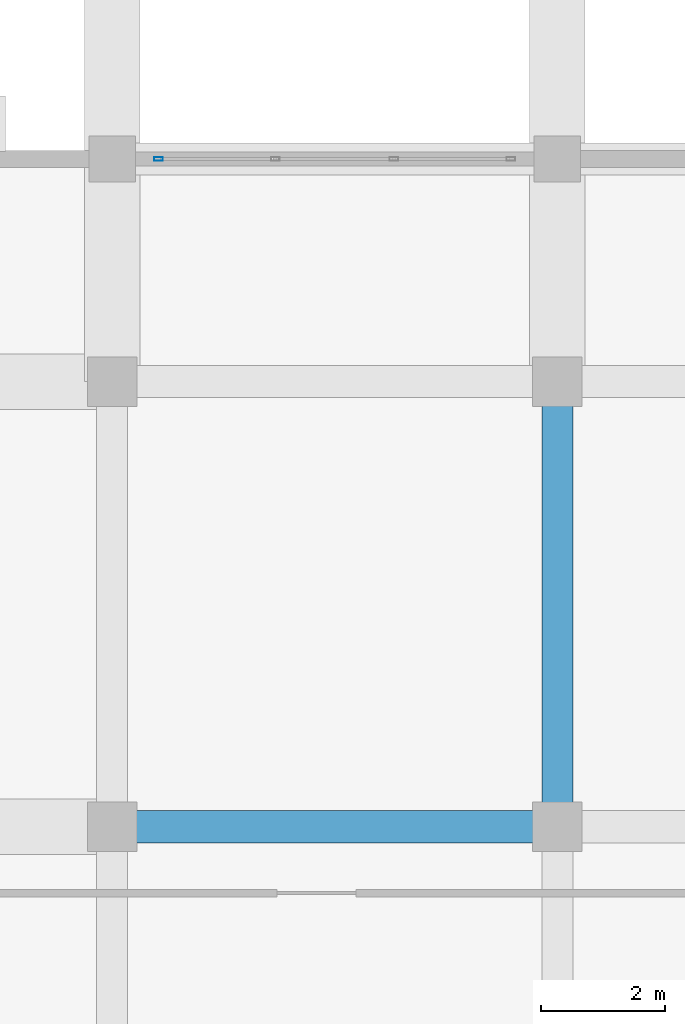
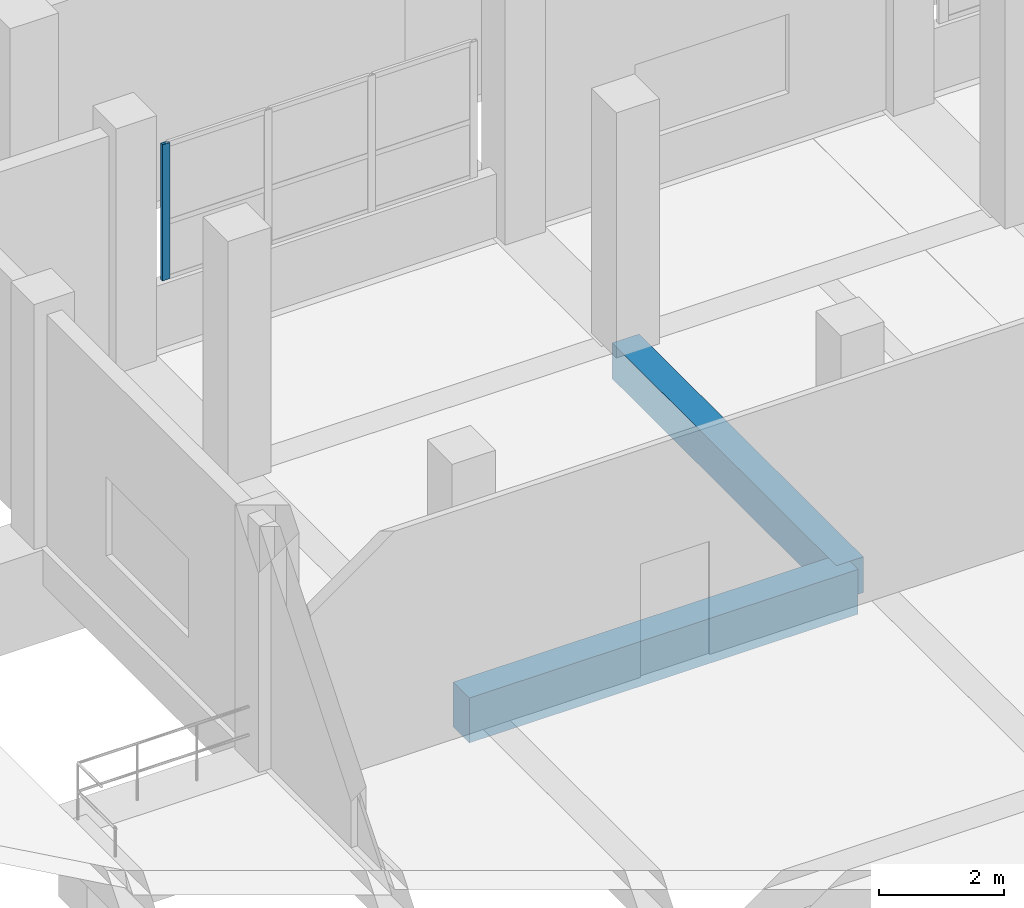
# One storey, part 55 of 140: 2 beams, 1 member, 1 element without a shape of its own.
"""IFC4 building model written with IfcOpenShell, lengths in metres."""

from ifc_helpers import new_model, si_unit, direction, frame, origin, origin_2d, place, context, subcontext, project, spatial, rectangle, hollow_rectangle, extrude, material, layer, layer_set, material_profile, profile_set, type_object, element, aggregate, save


model = new_model("IFC4")

# Units and contexts
model_context = context("Model", 3, precision=1e-05, world=origin(), true_north=direction((0.0, 1.0)))
body_context = subcontext(model_context, "Body", "Model", "MODEL_VIEW")
ifc_project = project(units=[si_unit("LENGTHUNIT", "METRE"), si_unit("AREAUNIT", "SQUARE_METRE"), si_unit("VOLUMEUNIT", "CUBIC_METRE"), si_unit("PLANEANGLEUNIT", "RADIAN"), si_unit("MASSUNIT", "GRAM", prefix="KILO")], contexts=[model_context])

# Site, building, storey
site_placement = place(None, origin())
site = spatial("IfcSite", under=ifc_project, at=site_placement, CompositionType="ELEMENT")
building_placement = place(site_placement, origin())
building = spatial("IfcBuilding", under=site, at=building_placement, Name="Seraya Terrace Polytechnic", CompositionType="ELEMENT")
storey_placement = place(building_placement, frame((0.0, 0.0, 9.60009765625)))
storey = spatial("IfcBuildingStorey", under=building, at=storey_placement, Name="L02", CompositionType="ELEMENT", Elevation=9.60009765625)

# Beams
ifc_material_1 = material(Name="Concrete C40/50", Category="concrete")
ifc_material_profile_1 = material_profile(ifc_material_1, rectangle(XDim=0.52001953125, YDim=0.8798828125, at=origin_2d()), Name="RC 520x880")
ifc_profile_set_1 = profile_set([ifc_material_profile_1], Name="Concrete C40/50")
beam_type_1 = type_object("IfcBeamType", Name="BM-04", PredefinedType="BEAM", material=ifc_profile_set_1)
beam_1_placement = place(storey_placement, frame((14.39990234375, 64.800048828125, -0.440185546875), z_axis=(1.0, 0.0, 0.0), x_axis=(0.0, 1.0, 0.0)))
element("IfcBeam", 1, at=beam_1_placement, inside=storey, type_object=beam_type_1, Name="Beam BM-04 L02 X (14.4..21.6, 64.8)", PredefinedType="BEAM", context=body_context, shape_type="SweptSolid", body=[
    extrude(rectangle(XDim=0.52001953125, YDim=0.8798828125, at=origin_2d()), origin(), (0.0, 0.0, 1.0), 7.2001953125),
])
ifc_material_profile_2 = material_profile(ifc_material_1, rectangle(XDim=0.5, YDim=0.699951171875, at=origin_2d()), Name="RC 500x700")
ifc_profile_set_2 = profile_set([ifc_material_profile_2], Name="Concrete C40/50")
beam_type_2 = type_object("IfcBeamType", Name="BM-07", PredefinedType="BEAM", material=ifc_profile_set_2)
beam_2_placement = place(storey_placement, frame((21.60009765625, 64.800048828125, -0.35009765625), z_axis=(0.0, 1.0, 0.0), x_axis=(-1.0, 0.0, 0.0)))
element("IfcBeam", 2, at=beam_2_placement, inside=storey, type_object=beam_type_2, Name="Beam BM-07 L02 Y (21.6, 64.8..72.0)", PredefinedType="BEAM", context=body_context, shape_type="SweptSolid", body=[
    extrude(rectangle(XDim=0.5, YDim=0.699951171875, at=origin_2d()), origin(), (0.0, 0.0, 1.0), 7.199951171875),
])

# Curtain wall, member
ifc_material_2 = material(Name="Anodised aluminium EN AW-6063 T6", Category="aluminium")
ifc_layer = layer(ifc_material_2, 0.179931640625, Name="CW-21")
ifc_layer_set = layer_set([ifc_layer], Name="Anodised aluminium EN AW-6063 T6")
curtain_wall_type = type_object("IfcCurtainWallType", Name="CW-21", PredefinedType="NOTDEFINED", material=ifc_layer_set)
curtain_wall_placement = place(storey_placement, origin())
curtain_wall = element("IfcCurtainWall", 3, at=curtain_wall_placement, inside=storey, type_object=curtain_wall_type, Name="Unitised curtain wall CW-21 (CW-L02-057)", PredefinedType="NOTDEFINED")
ifc_material_profile_3 = material_profile(ifc_material_2, hollow_rectangle(XDim=0.06005859375, YDim=0.139892578125, WallThickness=0.00341796875, at=origin_2d()), Name="RHS 140x60x3.5")
ifc_profile_set_3 = profile_set([ifc_material_profile_3], Name="Anodised aluminium EN AW-6063 T6")
member_type = type_object("IfcMemberType", Name="CWM-03", PredefinedType="MULLION", material=ifc_profile_set_3)
member_placement = place(storey_placement, frame((15.14990234375, 75.60009765625, 1.239990234375), z_axis=(0.0, 0.0, 1.0), x_axis=(0.0, 1.0, 0.0)))
member = element("IfcMember", 4, at=member_placement, type_object=member_type, Name="CW-21 mullion 1", PredefinedType="MULLION", context=body_context, shape_type="SweptSolid", body=[
    extrude(hollow_rectangle(XDim=0.06005859375, YDim=0.139892578125, WallThickness=0.00341796875, at=origin_2d()), origin(), (0.0, 0.0, 1.0), 2.669921875),
])
aggregate(curtain_wall, [member])

save(model, "model.ifc")
